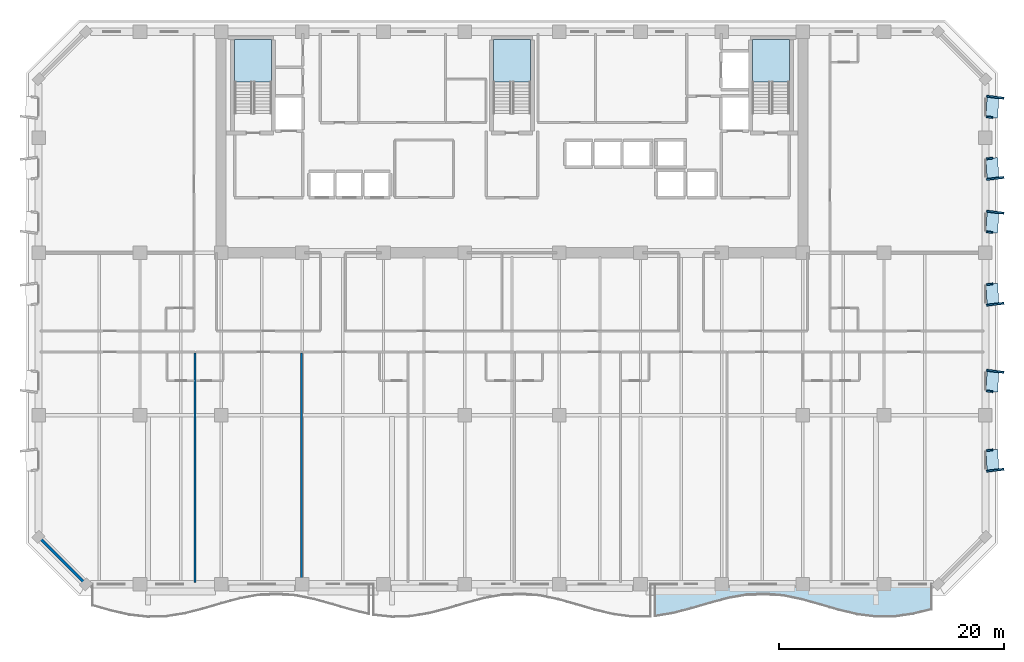
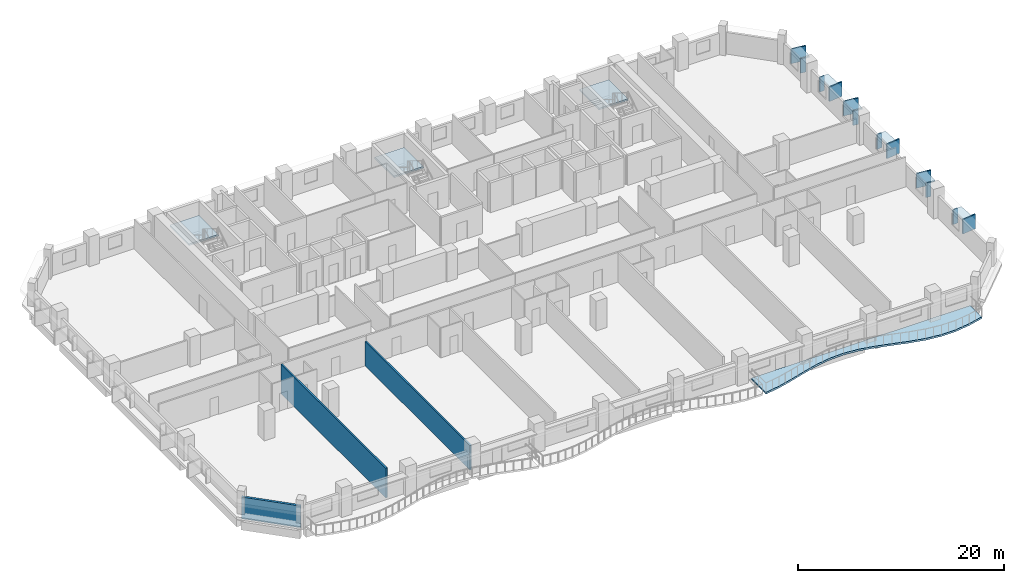
# One storey, part 3 of 14: 18 plates, 4 slabs, 3 walls, 3 elements without a shape of their own.
"""IFC4 building model written with IfcOpenShell, lengths in metres."""

from ifc_helpers import new_model, si_unit, direction, frame, frame_2d, origin, origin_2d, place, context, subcontext, project, spatial, polyline, rectangle, outline, extrude, material, layer, layer_set, type_object, element, aggregate, save


model = new_model("IFC4")

# Units and contexts
model_context = context("Model", 3, precision=1e-05, world=origin(), true_north=direction((0.0, 1.0)))
body_context = subcontext(model_context, "Body", "Model", "MODEL_VIEW")
ifc_project = project(units=[si_unit("LENGTHUNIT", "METRE"), si_unit("AREAUNIT", "SQUARE_METRE"), si_unit("VOLUMEUNIT", "CUBIC_METRE"), si_unit("PLANEANGLEUNIT", "RADIAN"), si_unit("MASSUNIT", "GRAM", prefix="KILO")], contexts=[model_context])

# Site, building, storey
site_placement = place(None, origin())
site = spatial("IfcSite", under=ifc_project, at=site_placement, CompositionType="ELEMENT")
building_placement = place(site_placement, origin())
building = spatial("IfcBuilding", under=site, at=building_placement, Name="Kaelvorn Grand Hotel", CompositionType="ELEMENT")
storey_placement = place(building_placement, frame((0.0, 0.0, 89.300048828125)))
storey = spatial("IfcBuildingStorey", under=building, at=storey_placement, Name="L20", CompositionType="ELEMENT", Elevation=89.300048828125)

# Plates
ifc_material_1 = material(Name="Precast concrete C45/55", Category="concrete")
ifc_layer_1 = layer(ifc_material_1, 0.159912109375)
ifc_layer_set_1 = layer_set([ifc_layer_1], Name="Precast concrete C45/55")
plate_type_1 = type_object("IfcPlateType", Name="PL-FRAME-DEEP-1550", PredefinedType="USERDEFINED", material=ifc_layer_set_1)
for number, where, z_axis, x_axis, name in (
    (1, (84.864990234375, 10.110107421875, 0.68994140625), (0.0, 0.0, 1.0), (-0.121869343405, 0.992546151641, 0.0), "L20 Tilted Precast Window Frame Fin L-E01"),
    (2, (84.864990234375, 18.889892578125, 0.68994140625), (0.0, 0.0, 1.0), (0.121869343405, 0.992546151641, 0.0), "L20 Tilted Precast Window Frame Fin R-E02"),
    (3, (84.864990234375, 24.8349609375, 0.68994140625), (0.0, 0.0, 1.0), (-0.121869343405, 0.992546151641, 0.0), "L20 Tilted Precast Window Frame Fin L-E03"),
    (4, (84.864990234375, 33.0048828125, 0.68994140625), (0.0, 0.0, 1.0), (0.121869343405, 0.992546151641, 0.0), "L20 Tilted Precast Window Frame Fin R-E04"),
    (5, (84.864990234375, 35.9951171875, 0.68994140625), (0.0, 0.0, 1.0), (-0.121869343405, 0.992546151641, 0.0), "L20 Tilted Precast Window Frame Fin L-E05"),
    (6, (84.864990234375, 43.205078125, 0.68994140625), (0.0, 0.0, 1.0), (0.121869343405, 0.992546151641, 0.0), "L20 Tilted Precast Window Frame Fin R-E06"),
):
    element("IfcPlate", number, at=place(storey_placement, frame(where, z_axis=z_axis, x_axis=x_axis)), inside=storey, type_object=plate_type_1, Name=name, ObjectType="FLANGE_PLATE", PredefinedType="USERDEFINED", context=body_context, shape_type="SweptSolid", body=[
        extrude(rectangle(XDim=0.159912109375, YDim=1.550048828125, at=origin_2d()), origin(), (0.0, 0.0, 1.0), 1.719970703125),
    ])
ifc_layer_2 = layer(ifc_material_1, 0.159912109375)
ifc_layer_set_2 = layer_set([ifc_layer_2], Name="Precast concrete C45/55")
plate_type_2 = type_object("IfcPlateType", Name="PL-FRAME-HEAD-1050", PredefinedType="USERDEFINED", material=ifc_layer_set_2)
for number, where, z_axis, x_axis, name in (
    (7, (84.614990234375, 11.0, 2.25), (0.0, 0.0, 1.0), (-0.054950179912, 0.998489097451, 0.0), "L20 Precast Window Frame Head Hood H-E01"),
    (8, (84.614990234375, 18.0, 2.25), (0.0, 0.0, 1.0), (0.054950179912, 0.998489097451, 0.0), "L20 Precast Window Frame Head Hood H-E02"),
    (9, (84.614990234375, 25.72509765625, 2.25), (0.0, 0.0, 1.0), (-0.054950179912, 0.998489097451, 0.0), "L20 Precast Window Frame Head Hood H-E03"),
    (10, (84.614990234375, 32.114990234375, 2.25), (0.0, 0.0, 1.0), (0.054950179912, 0.998489097451, 0.0), "L20 Precast Window Frame Head Hood H-E04"),
    (11, (84.614990234375, 36.885009765625, 2.25), (0.0, 0.0, 1.0), (-0.054950179912, 0.998489097451, 0.0), "L20 Precast Window Frame Head Hood H-E05"),
    (12, (84.614990234375, 42.31494140625, 2.25), (0.0, 0.0, 1.0), (0.054950179912, 0.998489097451, 0.0), "L20 Precast Window Frame Head Hood H-E06"),
):
    element("IfcPlate", number, at=place(storey_placement, frame(where, z_axis=z_axis, x_axis=x_axis)), inside=storey, type_object=plate_type_2, Name=name, ObjectType="FLANGE_PLATE", PredefinedType="USERDEFINED", context=body_context, shape_type="SweptSolid", body=[
        extrude(rectangle(XDim=1.860107421875, YDim=1.050048828125, at=origin_2d()), origin(), (0.0, 0.0, 1.0), 0.159912109375),
    ])
ifc_layer_3 = layer(ifc_material_1, 0.159912109375)
ifc_layer_set_3 = layer_set([ifc_layer_3], Name="Precast concrete C45/55")
plate_type_3 = type_object("IfcPlateType", Name="PL-FRAME-SHAL-550", PredefinedType="USERDEFINED", material=ifc_layer_set_3)
for number, where, z_axis, x_axis, name in (
    (13, (84.364990234375, 11.889892578125, 0.68994140625), (0.0, 0.0, 1.0), (-0.121869343405, 0.992546151641, 0.0), "L20 Tilted Precast Window Frame Fin R-E01"),
    (14, (84.364990234375, 17.110107421875, 0.68994140625), (0.0, 0.0, 1.0), (0.121869343405, 0.992546151641, 0.0), "L20 Tilted Precast Window Frame Fin L-E02"),
    (15, (84.364990234375, 26.614990234375, 0.68994140625), (0.0, 0.0, 1.0), (-0.121869343405, 0.992546151641, 0.0), "L20 Tilted Precast Window Frame Fin R-E03"),
    (16, (84.364990234375, 31.22509765625, 0.68994140625), (0.0, 0.0, 1.0), (0.121869343405, 0.992546151641, 0.0), "L20 Tilted Precast Window Frame Fin L-E04"),
    (17, (84.364990234375, 37.77490234375, 0.68994140625), (0.0, 0.0, 1.0), (-0.121869343405, 0.992546151641, 0.0), "L20 Tilted Precast Window Frame Fin R-E05"),
    (18, (84.364990234375, 41.425048828125, 0.68994140625), (0.0, 0.0, 1.0), (0.121869343405, 0.992546151641, 0.0), "L20 Tilted Precast Window Frame Fin L-E06"),
):
    element("IfcPlate", number, at=place(storey_placement, frame(where, z_axis=z_axis, x_axis=x_axis)), inside=storey, type_object=plate_type_3, Name=name, ObjectType="FLANGE_PLATE", PredefinedType="USERDEFINED", context=body_context, shape_type="SweptSolid", body=[
        extrude(rectangle(XDim=0.159912109375, YDim=0.550048828125, at=origin_2d()), origin(), (0.0, 0.0, 1.0), 1.719970703125),
    ])

# Slab
ifc_material_2 = material(Name="Concrete C40/50", Category="concrete")
ifc_layer_4 = layer(ifc_material_2, 0.219970703125)
ifc_layer_set_4 = layer_set([ifc_layer_4], Name="Concrete C40/50")
slab_type_1 = type_object("IfcSlabType", Name="SLB-BALC-220-C40", PredefinedType="FLOOR", material=ifc_layer_set_4)
slab_1_placement = place(storey_placement, frame((0.0, 0.0, -0.219970703125)))
element("IfcSlab", 19, at=slab_1_placement, inside=storey, type_object=slab_type_1, Name="L20 Scalloped Wave Balcony Slab 3", PredefinedType="FLOOR", context=body_context, shape_type="SweptSolid", body=[
    extrude(outline(polyline([(54.666748046875, -2.831298828125), (56.30224609375, -2.555908203125), (57.937744140625, -2.12939453125), (59.5732421875, -1.646240234375), (61.208984375, -1.214111328125), (62.844482421875, -0.9287109375), (64.47998046875, -0.853515625), (66.115478515625, -1.005126953125), (67.751220703125, -1.349853515625), (69.38671875, -1.8115234375), (71.022216796875, -2.287109375), (72.65771484375, -2.671142578125), (74.293212890625, -2.87841796875), (75.928955078125, -2.86279296875), (77.564453125, -2.627685546875), (79.199951171875, -2.2255859375), (79.199951171875, 0.0), (54.666748046875, 0.0), (54.666748046875, -2.831298828125)])), origin(), (0.0, 0.0, 1.0), 0.219970703125),
])

# Stair, slab
stair_type = type_object("IfcStairType", Name="STR-DOG-1560-R06", PredefinedType="HALF_TURN_STAIR", material=ifc_material_2)
stair_1_placement = place(storey_placement, origin())
stair_1 = element("IfcStair", 20, at=stair_1_placement, inside=storey, type_object=stair_type, Name="L20 West Core Exit Stair ST1", PredefinedType="HALF_TURN_STAIR")
ifc_layer_5 = layer(ifc_material_2, 0.199951171875)
ifc_layer_set_5 = layer_set([ifc_layer_5], Name="Concrete C40/50")
slab_type_2 = type_object("IfcSlabType", Name="SLB-LAND-200-C40", PredefinedType="LANDING", material=ifc_layer_set_5)
slab_2_placement = place(storey_placement, frame((0.0, 0.0, 1.675048828125)))
slab_2 = element("IfcSlab", 21, at=slab_2_placement, type_object=slab_type_2, Name="ST1 landing 1", PredefinedType="LANDING", context=body_context, shape_type="SweptSolid", body=[
    extrude(outline(polyline([(20.679931640625, 44.56005859375), (20.679931640625, 48.300048828125), (17.39990234375, 48.300048828125), (17.39990234375, 44.56005859375), (20.679931640625, 44.56005859375)])), origin(), (0.0, 0.0, 1.0), 0.199951171875),
])
aggregate(stair_1, [slab_2])

stair_2_placement = place(storey_placement, origin())
stair_2 = element("IfcStair", 22, at=stair_2_placement, inside=storey, type_object=stair_type, Name="L20 Central Core Exit Stair ST2", PredefinedType="HALF_TURN_STAIR")
slab_3_placement = place(storey_placement, frame((0.0, 0.0, 1.675048828125)))
slab_3 = element("IfcSlab", 23, at=slab_3_placement, type_object=slab_type_2, Name="ST2 landing 1", PredefinedType="LANDING", context=body_context, shape_type="SweptSolid", body=[
    extrude(outline(polyline([(43.639892578125, 44.56005859375), (43.639892578125, 48.300048828125), (40.360107421875, 48.300048828125), (40.360107421875, 44.56005859375), (43.639892578125, 44.56005859375)])), origin(), (0.0, 0.0, 1.0), 0.199951171875),
])
aggregate(stair_2, [slab_3])

stair_3_placement = place(storey_placement, origin())
stair_3 = element("IfcStair", 24, at=stair_3_placement, inside=storey, type_object=stair_type, Name="L20 East Core Exit Stair ST3", PredefinedType="HALF_TURN_STAIR")
slab_4_placement = place(storey_placement, frame((0.0, 0.0, 1.675048828125)))
slab_4 = element("IfcSlab", 25, at=slab_4_placement, type_object=slab_type_2, Name="ST3 landing 1", PredefinedType="LANDING", context=body_context, shape_type="SweptSolid", body=[
    extrude(outline(polyline([(66.60009765625, 44.56005859375), (66.60009765625, 48.300048828125), (63.320068359375, 48.300048828125), (63.320068359375, 44.56005859375), (66.60009765625, 44.56005859375)])), origin(), (0.0, 0.0, 1.0), 0.199951171875),
])
aggregate(stair_3, [slab_4])

# Walls
ifc_layer_6 = layer(ifc_material_2, 0.260009765625)
ifc_layer_set_6 = layer_set([ifc_layer_6], Name="Concrete C40/50")
wall_type_1 = type_object("IfcWallType", Name="WL-EXT-260-C40", PredefinedType="SOLIDWALL", material=ifc_layer_set_6)
wall_1_placement = place(storey_placement, frame((0.0, 4.199951171875, 0.0), z_axis=(0.0, 0.0, 1.0), x_axis=(0.707106781187, -0.707106781187, 0.0)))
element("IfcWall", 26, at=wall_1_placement, inside=storey, type_object=wall_type_1, Name="L20 Exterior Architectural Concrete Wall 08", PredefinedType="SOLIDWALL", context=body_context, shape_type="SweptSolid", body=[
    extrude(rectangle(XDim=5.939697265625, YDim=0.260009765625, at=frame_2d((2.9697265625, 0.0))), origin(), (0.0, 0.0, 1.0), 2.56005859375),
])
ifc_material_3 = material(Name="Acoustic Gypsum & Stud Partition")
ifc_layer_7 = layer(ifc_material_3, 0.179931640625)
ifc_layer_set_7 = layer_set([ifc_layer_7], Name="Acoustic Gypsum & Stud Partition")
wall_type_2 = type_object("IfcWallType", Name="WL-PART-180-EI60", PredefinedType="PARTITIONING", material=ifc_layer_set_7)
wall_2_placement = place(storey_placement, frame((13.8876953125, 0.14990234375, 0.0), z_axis=(0.0, 0.0, 1.0), x_axis=(0.0, 1.0, 0.0)))
element("IfcWall", 27, at=wall_2_placement, inside=storey, type_object=wall_type_2, Name="L20 Presidential Sky Suite L20-01 E Partition", PredefinedType="PARTITIONING", context=body_context, shape_type="SweptSolid", body=[
    extrude(rectangle(XDim=20.35498046875, YDim=0.179931640625, at=frame_2d((10.177490234375, 0.0))), origin(), (0.0, 0.0, 1.0), 3.510009765625),
])
wall_3_placement = place(storey_placement, frame((23.325439453125, 0.14990234375, 0.0), z_axis=(0.0, 0.0, 1.0), x_axis=(0.0, 1.0, 0.0)))
element("IfcWall", 28, at=wall_3_placement, inside=storey, type_object=wall_type_2, Name="L20 Deluxe Panoramic Suite L20-02 E Partition", PredefinedType="PARTITIONING", context=body_context, shape_type="SweptSolid", body=[
    extrude(rectangle(XDim=20.35498046875, YDim=0.179931640625, at=frame_2d((10.177490234375, 0.0))), origin(), (0.0, 0.0, 1.0), 2.897705078125),
])

save(model, "model.ifc")
